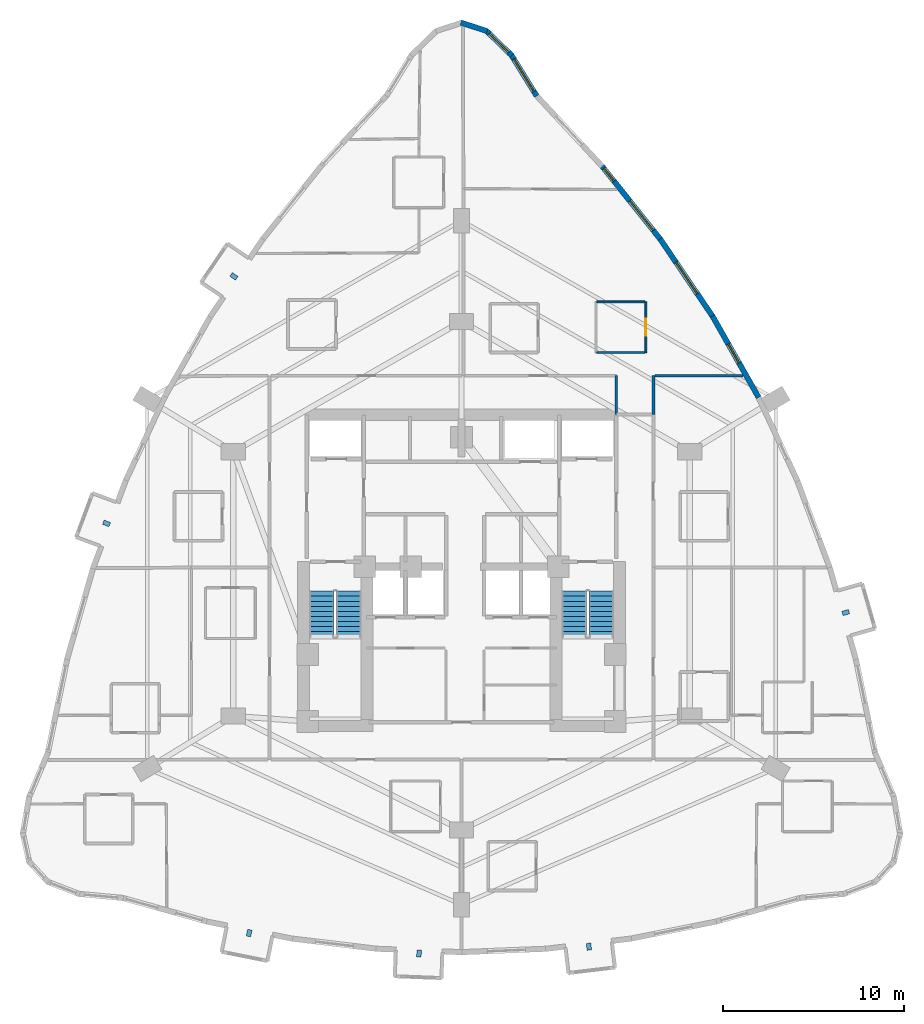
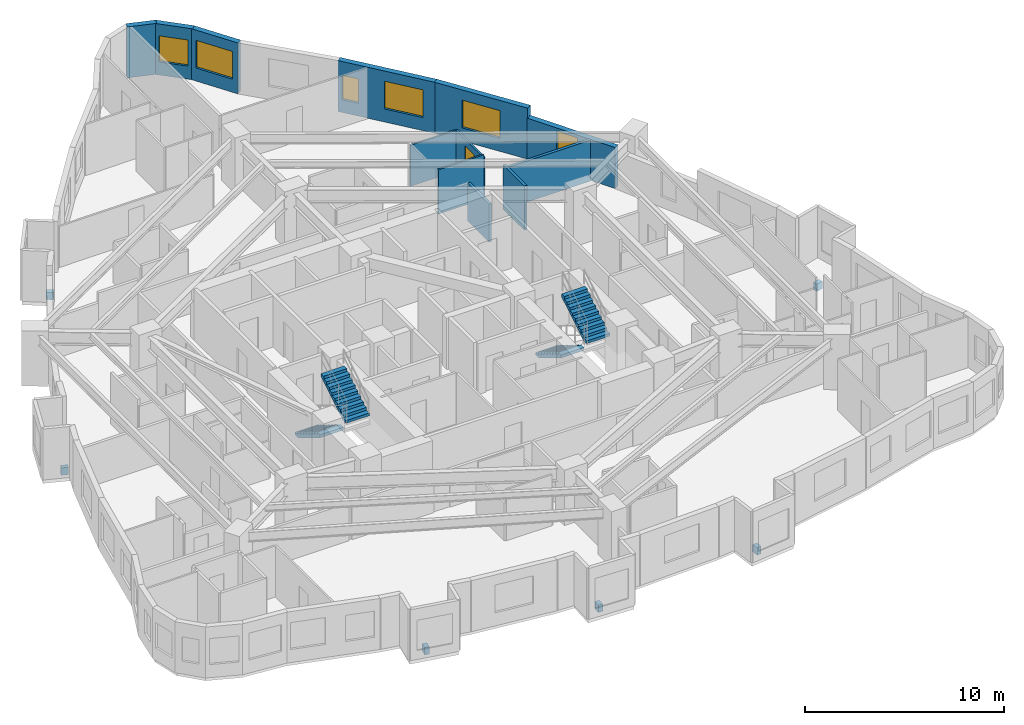
# One storey, part 12 of 13: 12 walls, 6 discrete accessories, 6 windows, 4 stair flights, 1 door, 7 openings, 2 elements without a shape of their own.
"""IFC4 building model written with IfcOpenShell, lengths in metres."""

from ifc_helpers import new_model, si_unit, direction, frame, frame_2d, origin, origin_2d, place, context, subcontext, project, spatial, polyline, rectangle, outline, extrude, material, layer, layer_set, type_object, element, fill, aggregate, save


model = new_model("IFC4")

# Units and contexts
model_context = context("Model", 3, precision=1e-05, world=origin(), true_north=direction((0.0, 1.0)))
body_context = subcontext(model_context, "Body", "Model", "MODEL_VIEW")
ifc_project = project(units=[si_unit("LENGTHUNIT", "METRE"), si_unit("AREAUNIT", "SQUARE_METRE"), si_unit("VOLUMEUNIT", "CUBIC_METRE"), si_unit("PLANEANGLEUNIT", "RADIAN"), si_unit("MASSUNIT", "GRAM", prefix="KILO")], contexts=[model_context])

# Site, building, storey
site_placement = place(None, origin())
site = spatial("IfcSite", under=ifc_project, at=site_placement, CompositionType="ELEMENT")
building_placement = place(site_placement, origin())
building = spatial("IfcBuilding", under=site, at=building_placement, Name="Miruveldt Soraemaru", CompositionType="ELEMENT")
storey_placement = place(building_placement, frame((0.0, 0.0, 73.39990234375)))
storey = spatial("IfcBuildingStorey", under=building, at=storey_placement, Name="L20", CompositionType="ELEMENT", Elevation=73.39990234375)

# Wall, opening, window
ifc_material_1 = material(Name="Precast concrete C45/55 (45 MPa)", Category="concrete")
ifc_layer_1 = layer(ifc_material_1, 0.300048828125, Name="Precast concrete C45/55 (45 MPa)", Category="concrete")
ifc_layer_set_1 = layer_set([ifc_layer_1], Name="Precast concrete C45/55 (45 MPa)")
wall_type_1 = type_object("IfcWallType", Name="WALL-EXT-PC300", PredefinedType="SOLIDWALL", material=ifc_layer_set_1)
wall_1_placement = place(storey_placement, frame((48.156982421875, 70.055908203125, 0.0), z_axis=(0.0, 0.0, 1.0), x_axis=(-0.526064242957, 0.850444832004, 0.0)))
wall_1 = element("IfcWall", 1, at=wall_1_placement, inside=storey, type_object=wall_type_1, Name="L20 Precast Concrete Facade Wall 1", PredefinedType="SOLIDWALL", context=body_context, shape_type="SweptSolid", body=[
    extrude(rectangle(XDim=2.692138671875, YDim=0.300048828125, at=frame_2d((1.34619140625, 0.0))), origin(), (0.0, 0.0, 1.0), 3.125),
])
opening_1_placement = place(wall_1_placement, frame((0.2958984375, 0.0, 0.800048828125)))
opening_1 = element("IfcOpeningElement", 2, at=opening_1_placement, cuts=wall_1, Name="Opening WN-1", PredefinedType="OPENING", context=body_context, shape_type="SweptSolid", body=[
    extrude(rectangle(XDim=2.10009765625, YDim=1.699951171875, at=frame_2d((1.050048828125, 0.85009765625))), frame((0.0, 0.16015625, 0.0), z_axis=(0.0, -1.0, 0.0), x_axis=(1.0, 0.0, 0.0)), (0.0, 0.0, 1.0), 0.320068359375),
])
ifc_material_2 = material(Name="Triple low-e insulated glazing", Category="glass")
window_type_1 = type_object("IfcWindowType", Name="WIN-PUNCH-2100x1700", PartitioningType="SINGLE_PANEL", PredefinedType="WINDOW", material=ifc_material_2)
window_1_placement = place(opening_1_placement, origin())
window_1 = element("IfcWindow", 3, at=window_1_placement, inside=storey, type_object=window_type_1, Name="L20 Punched Triple-Glazed Window 01.1", OverallHeight=1.699951171875, OverallWidth=2.10009765625, PartitioningType="SINGLE_PANEL", PredefinedType="WINDOW", context=body_context, shape_type="SweptSolid", body=[
    extrude(rectangle(XDim=2.10009765625, YDim=1.699951171875, at=frame_2d((1.050048828125, 0.85009765625))), frame((0.0, 0.030029296875, 0.0), z_axis=(0.0, -1.0, 0.0), x_axis=(1.0, 0.0, 0.0)), (0.0, 0.0, 1.0), 0.06005859375),
])
fill(opening_1, window_1)

wall_2_placement = place(storey_placement, frame((46.7841796875, 72.291259765625, 0.0), z_axis=(0.0, 0.0, 1.0), x_axis=(-0.717750025248, 0.69630086978, 0.0)))
wall_2 = element("IfcWall", 4, at=wall_2_placement, inside=storey, type_object=wall_type_1, Name="L20 Precast Concrete Facade Wall 2", PredefinedType="SOLIDWALL", context=body_context, shape_type="SweptSolid", body=[
    extrude(rectangle(XDim=1.991943359375, YDim=0.300048828125, at=frame_2d((0.99609375, 0.0))), origin(), (0.0, 0.0, 1.0), 3.125),
])
opening_2_placement = place(wall_2_placement, frame((0.24609375, 0.0, 0.800048828125)))
opening_2 = element("IfcOpeningElement", 5, at=opening_2_placement, cuts=wall_2, Name="Opening WN-3", PredefinedType="OPENING", context=body_context, shape_type="SweptSolid", body=[
    extrude(rectangle(XDim=1.5, YDim=1.60009765625, at=frame_2d((0.75, 0.800048828125))), frame((0.0, 0.16015625, 0.0), z_axis=(0.0, -1.0, 0.0), x_axis=(1.0, 0.0, 0.0)), (0.0, 0.0, 1.0), 0.320068359375),
])
window_type_2 = type_object("IfcWindowType", Name="WIN-PUNCH-1500x1600", PartitioningType="SINGLE_PANEL", PredefinedType="WINDOW", material=ifc_material_2)
window_2_placement = place(opening_2_placement, origin())
window_2 = element("IfcWindow", 6, at=window_2_placement, inside=storey, type_object=window_type_2, Name="L20 Punched Triple-Glazed Window 02.1", OverallHeight=1.60009765625, OverallWidth=1.5, PartitioningType="SINGLE_PANEL", PredefinedType="WINDOW", context=body_context, shape_type="SweptSolid", body=[
    extrude(rectangle(XDim=1.5, YDim=1.60009765625, at=frame_2d((0.75, 0.800048828125))), frame((0.0, 0.030029296875, 0.0), z_axis=(0.0, -1.0, 0.0), x_axis=(1.0, 0.0, 0.0)), (0.0, 0.0, 1.0), 0.06005859375),
])
fill(opening_2, window_2)

# Wall
wall_3_placement = place(storey_placement, frame((45.412841796875, 73.64306640625, 0.0), z_axis=(0.0, 0.0, 1.0), x_axis=(-0.951504003815, 0.307636361186, 0.0)))
element("IfcWall", 7, at=wall_3_placement, inside=storey, type_object=wall_type_1, Name="L20 Precast Concrete Facade Wall 3", PredefinedType="SOLIDWALL", context=body_context, shape_type="SweptSolid", body=[
    extrude(rectangle(XDim=1.519775390625, YDim=0.300048828125, at=frame_2d((0.759765625, 0.0))), origin(), (0.0, 0.0, 1.0), 3.125),
])

# Wall, opening, window
wall_4_placement = place(storey_placement, frame((60.4208984375, 53.395751953125, 0.0), z_axis=(0.0, 0.0, 1.0), x_axis=(-0.493385870501, 0.869810544193, 0.0)))
wall_4 = element("IfcWall", 8, at=wall_4_placement, inside=storey, type_object=wall_type_1, Name="L20 Precast Concrete Facade Wall 39", PredefinedType="SOLIDWALL", context=body_context, shape_type="SweptSolid", body=[
    extrude(rectangle(XDim=5.180908203125, YDim=0.300048828125, at=frame_2d((2.59033203125, 0.0))), origin(), (0.0, 0.0, 1.0), 2.51318359375),
])
opening_3_placement = place(wall_4_placement, frame((2.202880859375, 0.0, 0.780029296875)))
opening_3 = element("IfcOpeningElement", 9, at=opening_3_placement, cuts=wall_4, Name="Opening WN-4", PredefinedType="OPENING", context=body_context, shape_type="SweptSolid", body=[
    extrude(rectangle(XDim=1.199951171875, YDim=1.550048828125, at=frame_2d((0.60009765625, 0.77490234375))), frame((0.0, 0.16015625, 0.0), z_axis=(0.0, -1.0, 0.0), x_axis=(1.0, 0.0, 0.0)), (0.0, 0.0, 1.0), 0.320068359375),
])
window_type_3 = type_object("IfcWindowType", Name="WIN-PUNCH-1200x1550", PartitioningType="SINGLE_PANEL", PredefinedType="WINDOW", material=ifc_material_2)
window_3_placement = place(opening_3_placement, origin())
window_3 = element("IfcWindow", 10, at=window_3_placement, inside=storey, type_object=window_type_3, Name="L20 Punched Triple-Glazed Window 39.1", OverallHeight=1.550048828125, OverallWidth=1.199951171875, PartitioningType="SINGLE_PANEL", PredefinedType="WINDOW", context=body_context, shape_type="SweptSolid", body=[
    extrude(rectangle(XDim=1.199951171875, YDim=1.550048828125, at=frame_2d((0.60009765625, 0.77490234375))), frame((0.0, 0.030029296875, 0.0), z_axis=(0.0, -1.0, 0.0), x_axis=(1.0, 0.0, 0.0)), (0.0, 0.0, 1.0), 0.06005859375),
])
fill(opening_3, window_3)

wall_5_placement = place(storey_placement, frame((57.901611328125, 57.8427734375, 0.0), z_axis=(0.0, 0.0, 1.0), x_axis=(-0.560823294185, 0.827935524482, 0.0)))
wall_5 = element("IfcWall", 11, at=wall_5_placement, inside=storey, type_object=wall_type_1, Name="L20 Precast Concrete Facade Wall 40", PredefinedType="SOLIDWALL", context=body_context, shape_type="SweptSolid", body=[
    extrude(rectangle(XDim=5.21337890625, YDim=0.300048828125, at=frame_2d((2.606689453125, 0.0))), origin(), (0.0, 0.0, 1.0), 3.125),
])
opening_4_placement = place(wall_5_placement, frame((1.555908203125, 0.0, 0.800048828125)))
opening_4 = element("IfcOpeningElement", 12, at=opening_4_placement, cuts=wall_5, Name="Opening WN-1", PredefinedType="OPENING", context=body_context, shape_type="SweptSolid", body=[
    extrude(rectangle(XDim=2.10009765625, YDim=1.699951171875, at=frame_2d((1.050048828125, 0.85009765625))), frame((0.0, 0.16015625, 0.0), z_axis=(0.0, -1.0, 0.0), x_axis=(1.0, 0.0, 0.0)), (0.0, 0.0, 1.0), 0.320068359375),
])
window_4_placement = place(opening_4_placement, origin())
window_4 = element("IfcWindow", 13, at=window_4_placement, inside=storey, type_object=window_type_1, Name="L20 Punched Triple-Glazed Window 40.1", OverallHeight=1.699951171875, OverallWidth=2.10009765625, PartitioningType="SINGLE_PANEL", PredefinedType="WINDOW", context=body_context, shape_type="SweptSolid", body=[
    extrude(rectangle(XDim=2.10009765625, YDim=1.699951171875, at=frame_2d((1.050048828125, 0.85009765625))), frame((0.0, 0.030029296875, 0.0), z_axis=(0.0, -1.0, 0.0), x_axis=(1.0, 0.0, 0.0)), (0.0, 0.0, 1.0), 0.06005859375),
])
fill(opening_4, window_4)

# Wall, openings, windows
wall_6_placement = place(storey_placement, frame((55.019287109375, 62.102783203125, 0.0), z_axis=(0.0, 0.0, 1.0), x_axis=(-0.623600125689, 0.781743489414, 0.0)))
wall_6 = element("IfcWall", 14, at=wall_6_placement, inside=storey, type_object=wall_type_1, Name="L20 Precast Concrete Facade Wall 41", PredefinedType="SOLIDWALL", context=body_context, shape_type="SweptSolid", body=[
    extrude(rectangle(XDim=5.2783203125, YDim=0.300048828125, at=frame_2d((2.63916015625, 0.0))), origin(), (0.0, 0.0, 1.0), 3.125),
])
opening_5_placement = place(wall_6_placement, frame((0.675048828125, 0.0, 0.800048828125)))
opening_5 = element("IfcOpeningElement", 15, at=opening_5_placement, cuts=wall_6, Name="Opening WN-1", PredefinedType="OPENING", context=body_context, shape_type="SweptSolid", body=[
    extrude(rectangle(XDim=2.10009765625, YDim=1.699951171875, at=frame_2d((1.050048828125, 0.85009765625))), frame((0.0, 0.16015625, 0.0), z_axis=(0.0, -1.0, 0.0), x_axis=(1.0, 0.0, 0.0)), (0.0, 0.0, 1.0), 0.320068359375),
])
opening_6_placement = place(wall_6_placement, frame((4.154052734375, 0.0, 0.780029296875)))
opening_6 = element("IfcOpeningElement", 16, at=opening_6_placement, cuts=wall_6, Name="Opening WN-7", PredefinedType="OPENING", context=body_context, shape_type="SweptSolid", body=[
    extrude(rectangle(XDim=0.89990234375, YDim=1.5, at=frame_2d((0.449951171875, 0.75))), frame((0.0, 0.16015625, 0.0), z_axis=(0.0, -1.0, 0.0), x_axis=(1.0, 0.0, 0.0)), (0.0, 0.0, 1.0), 0.320068359375),
])
window_5_placement = place(opening_5_placement, origin())
window_5 = element("IfcWindow", 17, at=window_5_placement, inside=storey, type_object=window_type_1, Name="L20 Punched Triple-Glazed Window 41.1", OverallHeight=1.699951171875, OverallWidth=2.10009765625, PartitioningType="SINGLE_PANEL", PredefinedType="WINDOW", context=body_context, shape_type="SweptSolid", body=[
    extrude(rectangle(XDim=2.10009765625, YDim=1.699951171875, at=frame_2d((1.050048828125, 0.85009765625))), frame((0.0, 0.030029296875, 0.0), z_axis=(0.0, -1.0, 0.0), x_axis=(1.0, 0.0, 0.0)), (0.0, 0.0, 1.0), 0.06005859375),
])
fill(opening_5, window_5)
window_type_4 = type_object("IfcWindowType", Name="WIN-PUNCH-900x1500", PartitioningType="SINGLE_PANEL", PredefinedType="WINDOW", material=ifc_material_2)
window_6_placement = place(opening_6_placement, origin())
window_6 = element("IfcWindow", 18, at=window_6_placement, inside=storey, type_object=window_type_4, Name="L20 Punched Triple-Glazed Window 41.2", OverallHeight=1.5, OverallWidth=0.89990234375, PartitioningType="SINGLE_PANEL", PredefinedType="WINDOW", context=body_context, shape_type="SweptSolid", body=[
    extrude(rectangle(XDim=0.89990234375, YDim=1.5, at=frame_2d((0.449951171875, 0.75))), frame((0.0, 0.030029296875, 0.0), z_axis=(0.0, -1.0, 0.0), x_axis=(1.0, 0.0, 0.0)), (0.0, 0.0, 1.0), 0.06005859375),
])
fill(opening_6, window_6)

# Wall, opening, door
ifc_material_3 = material(Name="Gypsum plasterboard lining", Category="gypsum")
ifc_layer_2 = layer(ifc_material_3, 0.10009765625, Name="Gypsum plasterboard lining", Category="gypsum")
ifc_layer_set_2 = layer_set([ifc_layer_2], Name="Gypsum plasterboard lining")
wall_type_2 = type_object("IfcWallType", Name="WALL-INT-P100", PredefinedType="PARTITIONING", material=ifc_layer_set_2)
wall_7_placement = place(storey_placement, frame((54.18505859375, 55.882080078125, 0.0), z_axis=(0.0, 0.0, 1.0), x_axis=(0.0, 1.0, 0.0)))
wall_7 = element("IfcWall", 19, at=wall_7_placement, inside=storey, type_object=wall_type_2, Name="L20 Partition Wall 34", PredefinedType="PARTITIONING", context=body_context, shape_type="SweptSolid", body=[
    extrude(rectangle(XDim=2.7998046875, YDim=0.10009765625, at=frame_2d((1.39990234375, 0.0))), origin(), (0.0, 0.0, 1.0), 2.51318359375),
])
opening_7_placement = place(wall_7_placement, frame((0.93994140625, 0.0, 0.0)))
opening_7 = element("IfcOpeningElement", 20, at=opening_7_placement, cuts=wall_7, Name="Opening D3A", PredefinedType="OPENING", context=body_context, shape_type="SweptSolid", body=[
    extrude(rectangle(XDim=0.919921875, YDim=2.10009765625, at=frame_2d((0.4599609375, 1.050048828125))), frame((0.0, 0.06005859375, 0.0), z_axis=(0.0, -1.0, 0.0), x_axis=(1.0, 0.0, 0.0)), (0.0, 0.0, 1.0), 0.1201171875),
])
ifc_material_4 = material(Name="Anodised aluminium EN AW-6063 T6", Category="aluminium")
door_type = type_object("IfcDoorType", Name="DOOR-INT-920", OperationType="NOTDEFINED", PredefinedType="DOOR", material=ifc_material_4)
door_placement = place(opening_7_placement, origin())
door = element("IfcDoor", 21, at=door_placement, inside=storey, type_object=door_type, Name="L20 Unit CL02 KIT Door", OperationType="SINGLE_SWING_LEFT", OverallHeight=2.10009765625, OverallWidth=0.919921875, PredefinedType="DOOR", context=body_context, shape_type="SweptSolid", body=[
    extrude(rectangle(XDim=0.919921875, YDim=2.10009765625, at=frame_2d((0.4599609375, 1.050048828125))), frame((0.0, 0.02490234375, 0.0), z_axis=(0.0, -1.0, 0.0), x_axis=(1.0, 0.0, 0.0)), (0.0, 0.0, 1.0), 0.050048828125),
])
fill(opening_7, door)

# Walls
wall_8_placement = place(storey_placement, frame((54.135009765625, 58.681884765625, 0.0), z_axis=(0.0, 0.0, 1.0), x_axis=(-1.0, 0.0, 0.0)))
element("IfcWall", 22, at=wall_8_placement, inside=storey, type_object=wall_type_2, Name="L20 Partition Wall 35", PredefinedType="PARTITIONING", context=body_context, shape_type="SweptSolid", body=[
    extrude(rectangle(XDim=2.64990234375, YDim=0.10009765625, at=frame_2d((1.324951171875, 0.0))), origin(), (0.0, 0.0, 1.0), 2.51318359375),
])
wall_9_placement = place(storey_placement, frame((51.485107421875, 55.882080078125, 0.0), z_axis=(0.0, 0.0, 1.0), x_axis=(1.0, 0.0, 0.0)))
element("IfcWall", 23, at=wall_9_placement, inside=storey, type_object=wall_type_2, Name="L20 Partition Wall 37", PredefinedType="PARTITIONING", context=body_context, shape_type="SweptSolid", body=[
    extrude(rectangle(XDim=2.64990234375, YDim=0.10009765625, at=frame_2d((1.324951171875, 0.0))), origin(), (0.0, 0.0, 1.0), 2.713134765625),
])
ifc_material_5 = material(Name="Concrete C40/50 (40 MPa)", Category="concrete")
ifc_layer_3 = layer(ifc_material_5, 0.159912109375, Name="Concrete C40/50 (40 MPa)", Category="concrete")
ifc_layer_set_3 = layer_set([ifc_layer_3], Name="Concrete C40/50 (40 MPa)")
wall_type_3 = type_object("IfcWallType", Name="WALL-INT-RC160", PredefinedType="SOLIDWALL", material=ifc_layer_set_3)
wall_10_placement = place(storey_placement, frame((54.679931640625, 54.60009765625, 0.0), z_axis=(0.0, 0.0, 1.0), x_axis=(0.999999679423, -0.000800720392, 0.0)))
element("IfcWall", 24, at=wall_10_placement, inside=storey, type_object=wall_type_3, Name="L20 Partition Wall 40", PredefinedType="SOLIDWALL", context=body_context, shape_type="SweptSolid", body=[
    extrude(rectangle(XDim=4.87841796875, YDim=0.159912109375, at=frame_2d((2.439208984375, 0.0))), origin(), (0.0, 0.0, 1.0), 2.51318359375),
])
wall_11_placement = place(storey_placement, frame((52.550048828125, 52.449951171875, 0.0), z_axis=(0.0, 0.0, 1.0), x_axis=(0.0, 1.0, 0.0)))
element("IfcWall", 25, at=wall_11_placement, inside=storey, type_object=wall_type_3, Name="L20 Partition Wall 3", PredefinedType="SOLIDWALL", context=body_context, shape_type="SweptSolid", body=[
    extrude(rectangle(XDim=2.150146484375, YDim=0.159912109375, at=frame_2d((1.0751953125, 0.0))), origin(), (0.0, 0.0, 1.0), 2.31298828125),
])
wall_12_placement = place(storey_placement, frame((54.60009765625, 52.449951171875, 0.0), z_axis=(0.0, 0.0, 1.0), x_axis=(0.0, 1.0, 0.0)))
element("IfcWall", 26, at=wall_12_placement, inside=storey, type_object=wall_type_3, Name="L20 Partition Wall 39", PredefinedType="SOLIDWALL", context=body_context, shape_type="SweptSolid", body=[
    extrude(rectangle(XDim=2.150146484375, YDim=0.159912109375, at=frame_2d((1.0751953125, 0.0))), origin(), (0.0, 0.0, 1.0), 2.713134765625),
])

# Stair, stair flights
stair_type = type_object("IfcStairType", Name="STAIR-DL-340", PredefinedType="HALF_TURN_STAIR", material=ifc_material_5)
stair_1_placement = place(storey_placement, origin())
stair_1 = element("IfcStair", 27, at=stair_1_placement, inside=storey, type_object=stair_type, Name="L20 Protected Exit Stair ST-1", PredefinedType="HALF_TURN_STAIR")
stair_flight_type = type_object("IfcStairFlightType", Name="SFL-DL-340", PredefinedType="STRAIGHT", material=ifc_material_5)
stair_flight_1_placement = place(storey_placement, frame((36.27490234375, 42.699951171875, 0.0), z_axis=(0.0, 0.0, 1.0), x_axis=(0.0, -1.0, 0.0)))
stair_flight_1 = element("IfcStairFlight", 28, at=stair_flight_1_placement, type_object=stair_flight_type, Name="ST-1 flight 1", NumberOfRisers=10, NumberOfTreads=9, PredefinedType="STRAIGHT", RiserHeight=0.17, TreadLength=0.28, context=body_context, shape_type="SweptSolid", body=[
    extrude(outline(polyline([(0.0, 0.0), (0.0, 0.169921875), (0.280029296875, 0.169921875), (0.280029296875, 0.340087890625), (0.56005859375, 0.340087890625), (0.56005859375, 0.510009765625), (0.840087890625, 0.510009765625), (0.840087890625, 0.679931640625), (1.1201171875, 0.679931640625), (1.1201171875, 0.85009765625), (1.39990234375, 0.85009765625), (1.39990234375, 1.02001953125), (1.679931640625, 1.02001953125), (1.679931640625, 1.18994140625), (1.9599609375, 1.18994140625), (1.9599609375, 1.360107421875), (2.239990234375, 1.360107421875), (2.239990234375, 1.530029296875), (2.52001953125, 1.530029296875), (2.52001953125, 1.699951171875), (2.52001953125, 1.343017578125), (0.30810546875, 0.0), (0.0, 0.0)])), frame((0.0, 0.675048828125, 0.0), z_axis=(0.0, -1.0, 0.0), x_axis=(1.0, 0.0, 0.0)), (0.0, 0.0, 1.0), 1.35009765625),
])
stair_flight_2_placement = place(storey_placement, frame((37.77490234375, 40.179931640625, 1.7001953125), z_axis=(0.0, 0.0, 1.0), x_axis=(0.0, 1.0, 0.0)))
stair_flight_2 = element("IfcStairFlight", 29, at=stair_flight_2_placement, type_object=stair_flight_type, Name="ST-1 flight 2", NumberOfRisers=10, NumberOfTreads=9, PredefinedType="STRAIGHT", RiserHeight=0.17, TreadLength=0.28, context=body_context, shape_type="SweptSolid", body=[
    extrude(outline(polyline([(0.0, 0.0), (0.0, 0.169921875), (0.280029296875, 0.169921875), (0.280029296875, 0.340087890625), (0.56005859375, 0.340087890625), (0.56005859375, 0.510009765625), (0.840087890625, 0.510009765625), (0.840087890625, 0.679931640625), (1.1201171875, 0.679931640625), (1.1201171875, 0.85009765625), (1.39990234375, 0.85009765625), (1.39990234375, 1.02001953125), (1.679931640625, 1.02001953125), (1.679931640625, 1.18994140625), (1.9599609375, 1.18994140625), (1.9599609375, 1.360107421875), (2.239990234375, 1.360107421875), (2.239990234375, 1.530029296875), (2.52001953125, 1.530029296875), (2.52001953125, 1.699951171875), (2.52001953125, 1.343017578125), (0.30810546875, 0.0), (0.0, 0.0)])), frame((0.0, 0.675048828125, 0.0), z_axis=(0.0, -1.0, 0.0), x_axis=(1.0, 0.0, 0.0)), (0.0, 0.0, 1.0), 1.35009765625),
])
aggregate(stair_1, [stair_flight_1, stair_flight_2])

stair_2_placement = place(storey_placement, origin())
stair_2 = element("IfcStair", 30, at=stair_2_placement, inside=storey, type_object=stair_type, Name="L20 Protected Exit Stair ST-2", PredefinedType="HALF_TURN_STAIR")
stair_flight_3_placement = place(storey_placement, frame((50.22509765625, 42.699951171875, 0.0), z_axis=(0.0, 0.0, 1.0), x_axis=(0.0, -1.0, 0.0)))
stair_flight_3 = element("IfcStairFlight", 31, at=stair_flight_3_placement, type_object=stair_flight_type, Name="ST-2 flight 1", NumberOfRisers=10, NumberOfTreads=9, PredefinedType="STRAIGHT", RiserHeight=0.17, TreadLength=0.28, context=body_context, shape_type="SweptSolid", body=[
    extrude(outline(polyline([(0.0, 0.0), (0.0, 0.169921875), (0.280029296875, 0.169921875), (0.280029296875, 0.340087890625), (0.56005859375, 0.340087890625), (0.56005859375, 0.510009765625), (0.840087890625, 0.510009765625), (0.840087890625, 0.679931640625), (1.1201171875, 0.679931640625), (1.1201171875, 0.85009765625), (1.39990234375, 0.85009765625), (1.39990234375, 1.02001953125), (1.679931640625, 1.02001953125), (1.679931640625, 1.18994140625), (1.9599609375, 1.18994140625), (1.9599609375, 1.360107421875), (2.239990234375, 1.360107421875), (2.239990234375, 1.530029296875), (2.52001953125, 1.530029296875), (2.52001953125, 1.699951171875), (2.52001953125, 1.343017578125), (0.30810546875, 0.0), (0.0, 0.0)])), frame((0.0, 0.675048828125, 0.0), z_axis=(0.0, -1.0, 0.0), x_axis=(1.0, 0.0, 0.0)), (0.0, 0.0, 1.0), 1.35009765625),
])
stair_flight_4_placement = place(storey_placement, frame((51.72509765625, 40.179931640625, 1.7001953125), z_axis=(0.0, 0.0, 1.0), x_axis=(0.0, 1.0, 0.0)))
stair_flight_4 = element("IfcStairFlight", 32, at=stair_flight_4_placement, type_object=stair_flight_type, Name="ST-2 flight 2", NumberOfRisers=10, NumberOfTreads=9, PredefinedType="STRAIGHT", RiserHeight=0.17, TreadLength=0.28, context=body_context, shape_type="SweptSolid", body=[
    extrude(outline(polyline([(0.0, 0.0), (0.0, 0.169921875), (0.280029296875, 0.169921875), (0.280029296875, 0.340087890625), (0.56005859375, 0.340087890625), (0.56005859375, 0.510009765625), (0.840087890625, 0.510009765625), (0.840087890625, 0.679931640625), (1.1201171875, 0.679931640625), (1.1201171875, 0.85009765625), (1.39990234375, 0.85009765625), (1.39990234375, 1.02001953125), (1.679931640625, 1.02001953125), (1.679931640625, 1.18994140625), (1.9599609375, 1.18994140625), (1.9599609375, 1.360107421875), (2.239990234375, 1.360107421875), (2.239990234375, 1.530029296875), (2.52001953125, 1.530029296875), (2.52001953125, 1.699951171875), (2.52001953125, 1.343017578125), (0.30810546875, 0.0), (0.0, 0.0)])), frame((0.0, 0.675048828125, 0.0), z_axis=(0.0, -1.0, 0.0), x_axis=(1.0, 0.0, 0.0)), (0.0, 0.0, 1.0), 1.35009765625),
])
aggregate(stair_2, [stair_flight_3, stair_flight_4])

# Discrete accessories
ifc_material_6 = material(Name="Steel SM355 (355 MPa)", Category="steel")
discrete_accessory_type = type_object("IfcDiscreteAccessoryType", Name="ACC-BAY-BRK", PredefinedType="BRACKET", material=ifc_material_6)
for number, where, z_axis, x_axis, name in (
    (33, (31.427734375, 60.0908203125, -0.7197265625), (0.0, 0.0, 1.0), (-0.827933108356, 0.560826861061, 0.0), "L20 Bay Window Cantilever Bracket 1"),
    (34, (24.390380859375, 46.43896484375, -0.7197265625), (0.0, 0.0, 1.0), (-0.937105441274, 0.349046403698, 0.0), "L20 Bay Window Cantilever Bracket 2"),
    (35, (32.268798828125, 23.8076171875, -0.7197265625), (0.0, 0.0, 1.0), (-0.196117290802, -0.980580444557, 0.0), "L20 Bay Window Cantilever Bracket 3"),
    (36, (41.65380859375, 22.681396484375, -0.7197265625), (0.0, 0.0, 1.0), (-0.03997483895, -0.999200686675, 0.0), "L20 Bay Window Cantilever Bracket 4"),
    (37, (51.038818359375, 23.056884765625, -0.7197265625), (0.0, 0.0, 1.0), (0.119149147143, -0.992876367296, 0.0), "L20 Bay Window Cantilever Bracket 5"),
    (38, (65.22705078125, 41.513427734375, -0.7197265625), (0.0, 0.0, 1.0), (0.961449093633, 0.274982981932, 0.0), "L20 Bay Window Cantilever Bracket 6"),
):
    element("IfcDiscreteAccessory", number, at=place(storey_placement, frame(where, z_axis=z_axis, x_axis=x_axis)), inside=storey, type_object=discrete_accessory_type, Name=name, PredefinedType="BRACKET", context=body_context, shape_type="SweptSolid", body=[
        extrude(rectangle(XDim=0.3798828125, YDim=0.25, at=origin_2d()), origin(), (0.0, 0.0, 1.0), 0.449951171875),
    ])

save(model, "model.ifc")
